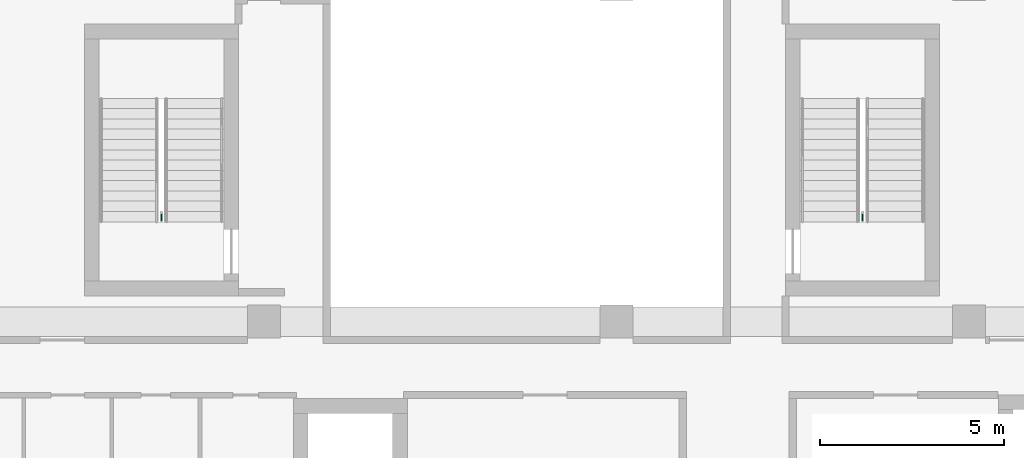
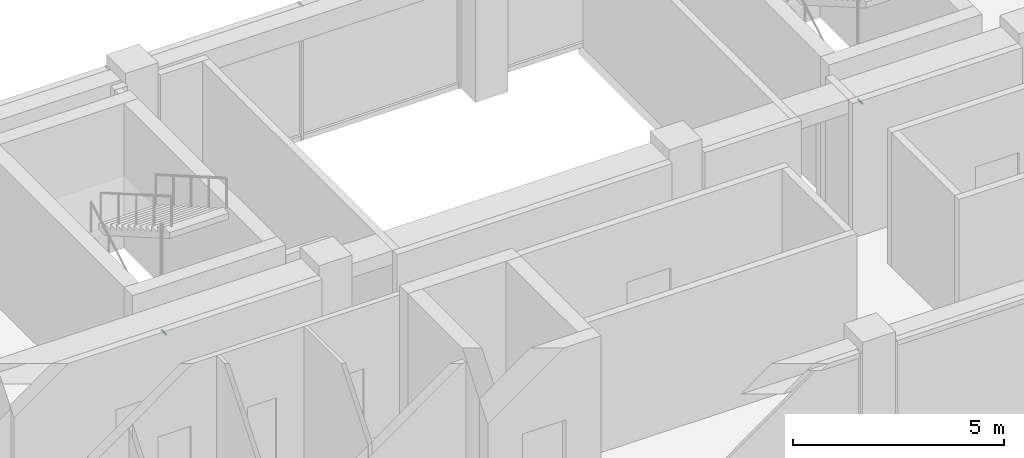
# One storey, part 37 of 37: 2 pipe fittings.
"""IFC4 building model written with IfcOpenShell, lengths in metres."""

from ifc_helpers import new_model, si_unit, direction, frame, origin, origin_2d, place, context, subcontext, project, spatial, circle, extrude, element, save


model = new_model("IFC4")

# Units and contexts
model_context = context("Model", 3, precision=1e-05, world=origin(), true_north=direction((0.0, 1.0)))
body_context = subcontext(model_context, "Body", "Model", "MODEL_VIEW")
ifc_project = project(units=[si_unit("LENGTHUNIT", "METRE"), si_unit("AREAUNIT", "SQUARE_METRE"), si_unit("VOLUMEUNIT", "CUBIC_METRE"), si_unit("PLANEANGLEUNIT", "RADIAN"), si_unit("MASSUNIT", "GRAM", prefix="KILO")], contexts=[model_context])

# Site, building, storey
site_placement = place(None, origin())
site = spatial("IfcSite", under=ifc_project, at=site_placement, CompositionType="ELEMENT")
building_placement = place(site_placement, origin())
building = spatial("IfcBuilding", under=site, at=building_placement, Name="Nzadi Deep Aquarium and Research Tower", CompositionType="ELEMENT")
storey_placement = place(building_placement, frame((0.0, 0.0, 61.300048828125)))
storey = spatial("IfcBuildingStorey", under=building, at=storey_placement, Name="L12", CompositionType="ELEMENT", Elevation=61.300048828125)

# Pipe fittings
for number, where, z_axis, x_axis, name in (
    (1, (6.800048828125, 39.77001953125, 1.099853515625), (0.0, -1.0, 0.0), (1.0, 0.0, 0.0), "Dry riser outlet ST-Z1-NW L12"),
    (2, (25.89990234375, 39.77001953125, 1.099853515625), (0.0, -1.0, 0.0), (1.0, 0.0, 0.0), "Dry riser outlet ST-Z1-NE L12"),
):
    element("IfcPipeFitting", number, at=place(storey_placement, frame(where, z_axis=z_axis, x_axis=x_axis)), inside=storey, Name=name, PredefinedType="EXIT", context=body_context, shape_type="SweptSolid", body=[
        extrude(circle(Radius=0.0224609375, at=origin_2d()), origin(), (0.0, 0.0, 1.0), 0.22998046875),
    ])

save(model, "model.ifc")
